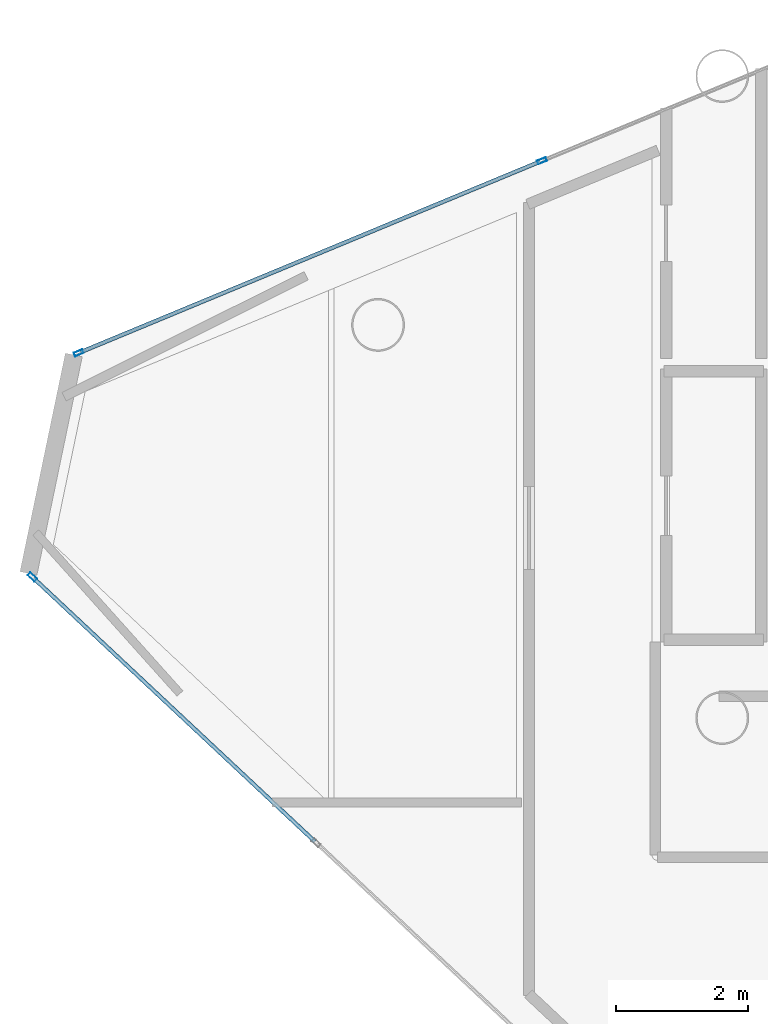
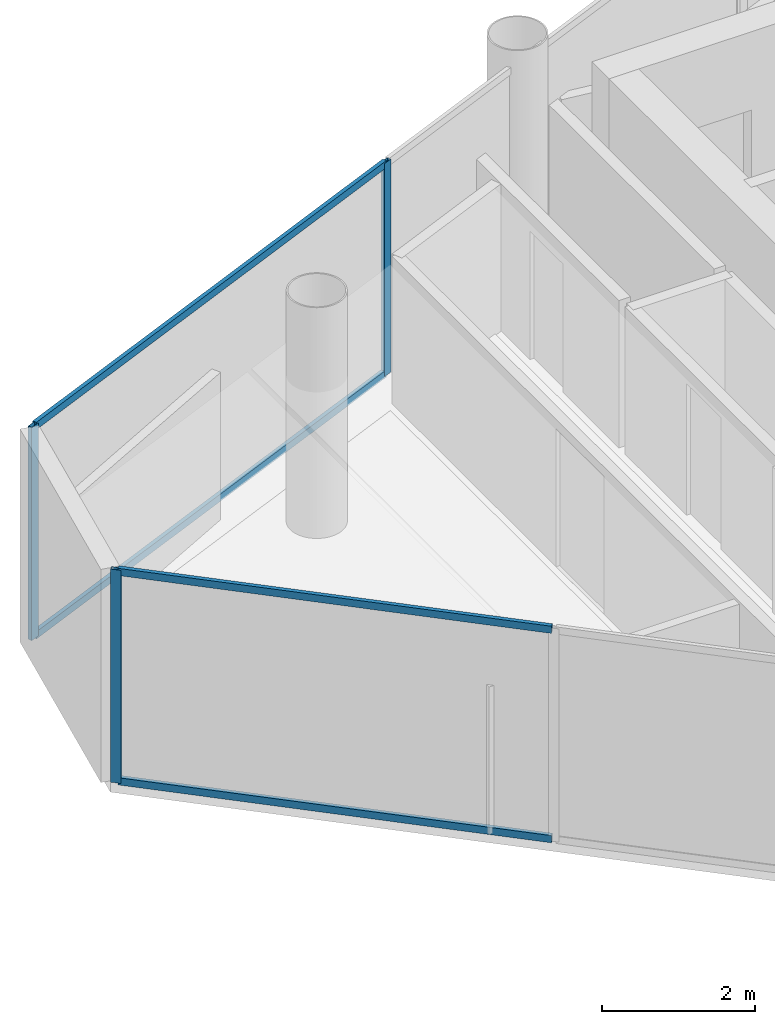
# One storey, part 6 of 18: 7 members, 2 elements without a shape of their own.
"""IFC4 building model written with IfcOpenShell, lengths in metres."""

from ifc_helpers import new_model, si_unit, direction, frame, origin, origin_2d, place, context, subcontext, project, spatial, hollow_rectangle, extrude, material, layer, layer_set, material_profile, profile_set, type_object, element, aggregate, save


model = new_model("IFC4")

# Units and contexts
model_context = context("Model", 3, precision=1e-05, world=origin(), true_north=direction((0.0, 1.0)))
body_context = subcontext(model_context, "Body", "Model", "MODEL_VIEW")
ifc_project = project(units=[si_unit("LENGTHUNIT", "METRE"), si_unit("AREAUNIT", "SQUARE_METRE"), si_unit("VOLUMEUNIT", "CUBIC_METRE"), si_unit("PLANEANGLEUNIT", "RADIAN"), si_unit("MASSUNIT", "GRAM", prefix="KILO")], contexts=[model_context])

# Site, building, storey
site_placement = place(None, origin())
site = spatial("IfcSite", under=ifc_project, at=site_placement, CompositionType="ELEMENT")
building_placement = place(site_placement, origin())
building = spatial("IfcBuilding", under=site, at=building_placement, Name="Qianvela Tower", CompositionType="ELEMENT")
storey_placement = place(building_placement, frame((0.0, 0.0, 348.10009765625)))
storey = spatial("IfcBuildingStorey", under=building, at=storey_placement, Name="L90", CompositionType="ELEMENT", Elevation=348.10009765625)

# Curtain wall, members
ifc_material_1 = material(Name="Anodised Architectural Aluminium and Low-E Glass", Category="aluminium")
ifc_layer = layer(ifc_material_1, 0.14990234375)
ifc_layer_set = layer_set([ifc_layer], Name="Anodised Architectural Aluminium and Low-E Glass")
curtain_wall_type = type_object("IfcCurtainWallType", Name="CW-COLIV-Z78", PredefinedType="USERDEFINED", material=ifc_layer_set)
curtain_wall_1_placement = place(storey_placement, origin())
curtain_wall_1 = element("IfcCurtainWall", 1, at=curtain_wall_1_placement, inside=storey, type_object=curtain_wall_type, Name="L90 CW-COLIV-Z78 Curtain Wall 02C", ObjectType="CURTAIN_WALL_SYSTEM", PredefinedType="USERDEFINED")
ifc_material_2 = material(Name="Anodised Architectural Aluminium 6063-T6", Category="aluminium")
ifc_material_profile_1 = material_profile(ifc_material_2, hollow_rectangle(XDim=0.06005859375, YDim=0.139892578125, WallThickness=0.00439453125, at=origin_2d()), Name="ALU-MULL-60x140")
ifc_profile_set_1 = profile_set([ifc_material_profile_1], Name="Anodised Architectural Aluminium 6063-T6")
member_type_1 = type_object("IfcMemberType", Name="CW-COLIV-Z78-MULL", PredefinedType="MULLION", material=ifc_profile_set_1)
member_1_placement = place(storey_placement, frame((25.876953125, 32.269287109375, 0.0), z_axis=(0.0, 0.0, 1.0), x_axis=(0.383115136645, -0.923700596554, 0.0)))
member_1 = element("IfcMember", 2, at=member_1_placement, type_object=member_type_1, Name="CW-6 mullion 2", PredefinedType="MULLION", context=body_context, shape_type="SweptSolid", body=[
    extrude(hollow_rectangle(XDim=0.06005859375, YDim=0.139892578125, WallThickness=0.00439453125, at=origin_2d()), origin(), (0.0, 0.0, 1.0), 3.39990234375),
])
member_2_placement = place(storey_placement, frame((18.876708984375, 29.365966796875, 0.0), z_axis=(0.0, 0.0, 1.0), x_axis=(0.383115136645, -0.923700596554, 0.0)))
member_2 = element("IfcMember", 3, at=member_2_placement, type_object=member_type_1, Name="CW-6 mullion 3", PredefinedType="MULLION", context=body_context, shape_type="SweptSolid", body=[
    extrude(hollow_rectangle(XDim=0.06005859375, YDim=0.139892578125, WallThickness=0.00439453125, at=origin_2d()), origin(), (0.0, 0.0, 1.0), 3.39990234375),
])

# Curtain wall, member
curtain_wall_2_placement = place(storey_placement, origin())
curtain_wall_2 = element("IfcCurtainWall", 4, at=curtain_wall_2_placement, inside=storey, type_object=curtain_wall_type, Name="L90 CW-COLIV-Z78 Curtain Wall 04A", ObjectType="CURTAIN_WALL_SYSTEM", PredefinedType="USERDEFINED")
member_3_placement = place(storey_placement, frame((18.17578125, 25.98095703125, 0.0), z_axis=(0.0, 0.0, 1.0), x_axis=(0.683529797455, 0.729922609591, 0.0)))
member_3 = element("IfcMember", 5, at=member_3_placement, type_object=member_type_1, Name="CW-6 mullion 1", PredefinedType="MULLION", context=body_context, shape_type="SweptSolid", body=[
    extrude(hollow_rectangle(XDim=0.06005859375, YDim=0.139892578125, WallThickness=0.00439453125, at=origin_2d()), origin(), (0.0, 0.0, 1.0), 3.39990234375),
])

# Member
ifc_material_3 = material(Name="Anodised Architectural Aluminium 6063-T6", Category="aluminium")
ifc_material_profile_2 = material_profile(ifc_material_3, hollow_rectangle(XDim=0.06005859375, YDim=0.114990234375, WallThickness=0.00390625, at=origin_2d()), Name="ALU-TRAN-60x115")
ifc_profile_set_2 = profile_set([ifc_material_profile_2], Name="Anodised Architectural Aluminium 6063-T6")
member_type_2 = type_object("IfcMemberType", Name="CW-COLIV-Z78-TRAN", PredefinedType="USERDEFINED", material=ifc_profile_set_2)
member_4_placement = place(storey_placement, frame((25.84912109375, 32.2578125, 0.02978515625), z_axis=(-0.923699233314, -0.383118423436, 0.0), x_axis=(0.383118423436, -0.923699233314, 0.0)))
member_4 = element("IfcMember", 6, at=member_4_placement, type_object=member_type_2, Name="CW-6 transom 2.1", ObjectType="TRANSOM", PredefinedType="USERDEFINED", context=body_context, shape_type="SweptSolid", body=[
    extrude(hollow_rectangle(XDim=0.06005859375, YDim=0.114990234375, WallThickness=0.00390625, at=origin_2d()), origin(), (0.0, 0.0, 1.0), 7.518310546875),
])

member_5_placement = place(storey_placement, frame((25.84912109375, 32.2578125, 3.369873046875), z_axis=(-0.923699233314, -0.383118423436, 0.0), x_axis=(0.383118423436, -0.923699233314, 0.0)))
member_5 = element("IfcMember", 7, at=member_5_placement, type_object=member_type_2, Name="CW-6 transom 2.2", ObjectType="TRANSOM", PredefinedType="USERDEFINED", context=body_context, shape_type="SweptSolid", body=[
    extrude(hollow_rectangle(XDim=0.06005859375, YDim=0.114990234375, WallThickness=0.00390625, at=origin_2d()), origin(), (0.0, 0.0, 1.0), 7.518310546875),
])

aggregate(curtain_wall_1, [member_1, member_2, member_4, member_5])

member_6_placement = place(storey_placement, frame((18.19775390625, 25.96044921875, 0.02978515625), z_axis=(0.729922008443, -0.683530439403, 0.0), x_axis=(0.683530439403, 0.729922008443, 0.0)))
member_6 = element("IfcMember", 8, at=member_6_placement, type_object=member_type_2, Name="CW-6 transom 1.1", ObjectType="TRANSOM", PredefinedType="USERDEFINED", context=body_context, shape_type="SweptSolid", body=[
    extrude(hollow_rectangle(XDim=0.06005859375, YDim=0.114990234375, WallThickness=0.00390625, at=origin_2d()), origin(), (0.0, 0.0, 1.0), 5.815185546875),
])

member_7_placement = place(storey_placement, frame((18.19775390625, 25.96044921875, 3.369873046875), z_axis=(0.729922008443, -0.683530439403, 0.0), x_axis=(0.683530439403, 0.729922008443, 0.0)))
member_7 = element("IfcMember", 9, at=member_7_placement, type_object=member_type_2, Name="CW-6 transom 1.2", ObjectType="TRANSOM", PredefinedType="USERDEFINED", context=body_context, shape_type="SweptSolid", body=[
    extrude(hollow_rectangle(XDim=0.06005859375, YDim=0.114990234375, WallThickness=0.00390625, at=origin_2d()), origin(), (0.0, 0.0, 1.0), 5.815185546875),
])

aggregate(curtain_wall_2, [member_3, member_6, member_7])

save(model, "model.ifc")
